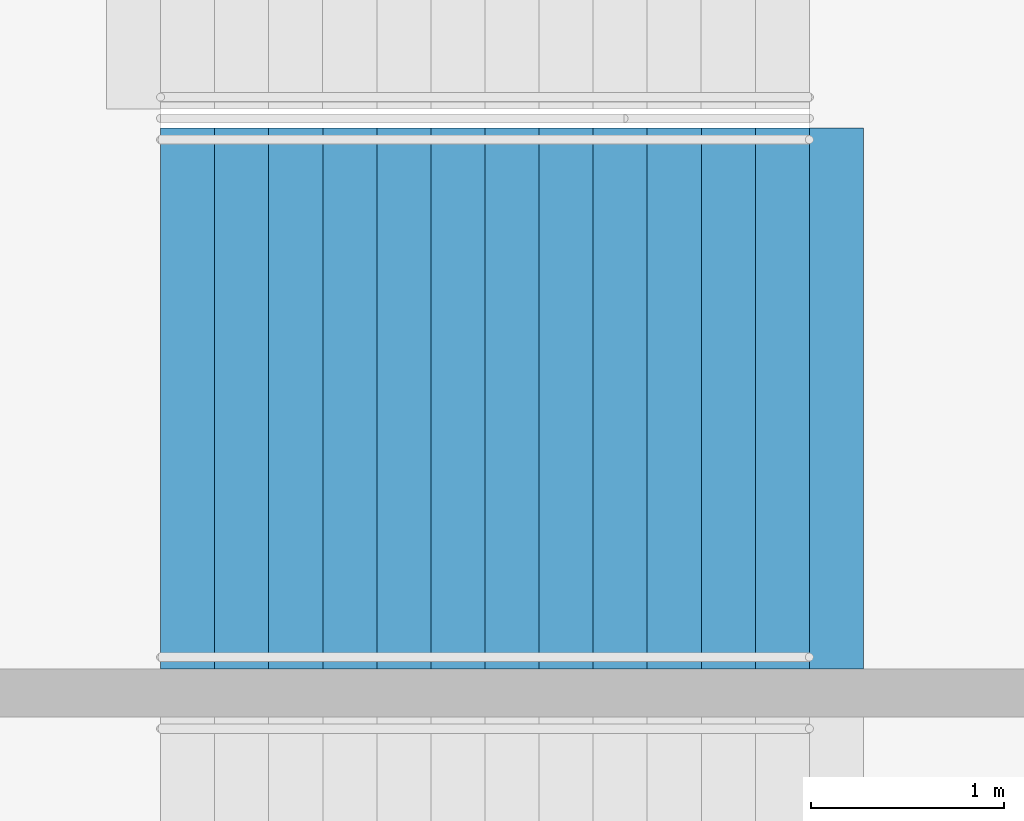
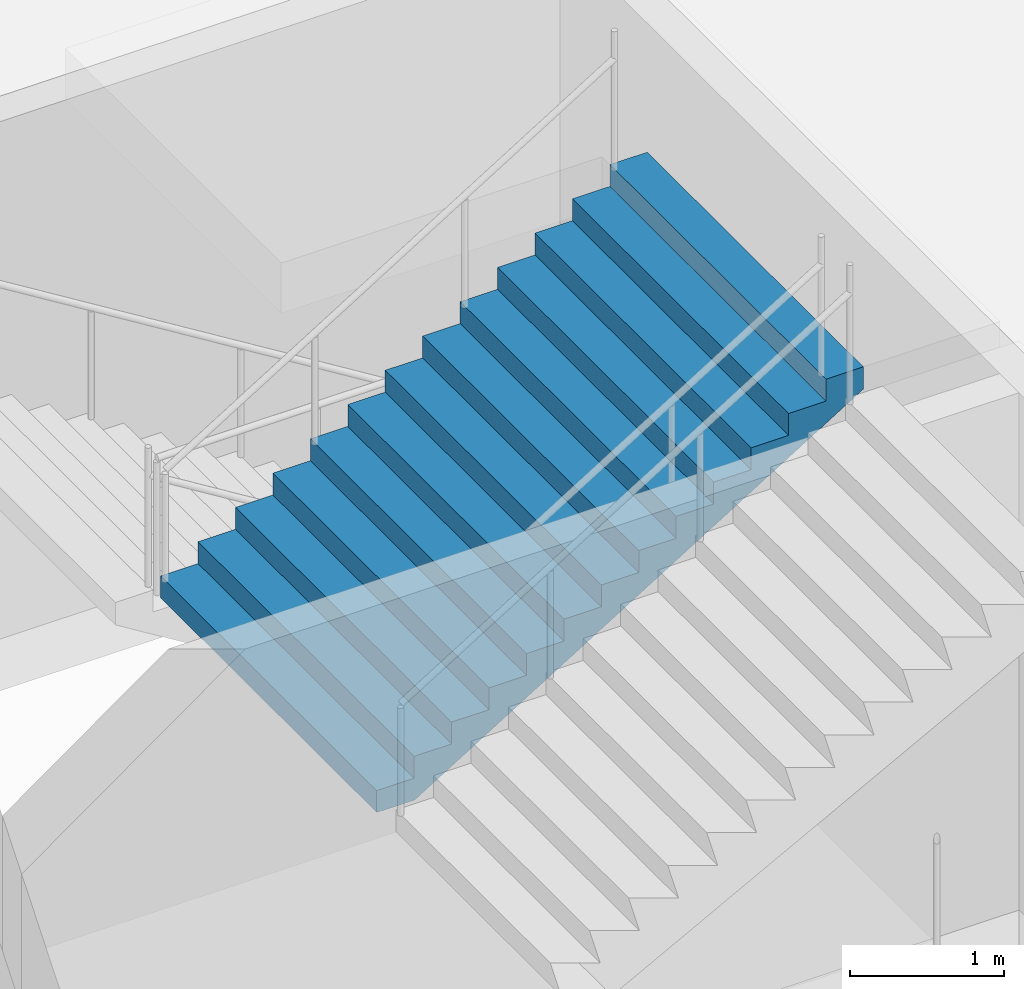
# One storey, part 167 of 249: 1 stair flight, 1 element without a shape of its own.
"""IFC4 building model written with IfcOpenShell, lengths in metres."""

from ifc_helpers import new_model, si_unit, direction, frame, origin, place, context, subcontext, project, spatial, faceted_brep, material, type_object, element, aggregate, save


model = new_model("IFC4")

# Units and contexts
model_context = context("Model", 3, precision=1e-05, world=origin(), true_north=direction((0.0, 1.0)))
body_context = subcontext(model_context, "Body", "Model", "MODEL_VIEW")
ifc_project = project(units=[si_unit("LENGTHUNIT", "METRE"), si_unit("AREAUNIT", "SQUARE_METRE"), si_unit("VOLUMEUNIT", "CUBIC_METRE"), si_unit("PLANEANGLEUNIT", "RADIAN"), si_unit("MASSUNIT", "GRAM", prefix="KILO")], contexts=[model_context])

# Site, building, storey
site_placement = place(None, origin())
site = spatial("IfcSite", under=ifc_project, at=site_placement, CompositionType="ELEMENT")
building_placement = place(site_placement, origin())
building = spatial("IfcBuilding", under=site, at=building_placement, Name="Ogive Plaza Stadium", CompositionType="ELEMENT")
storey_placement = place(building_placement, frame((0.0, 0.0, 13.5)))
storey = spatial("IfcBuildingStorey", under=building, at=storey_placement, Name="L03", CompositionType="ELEMENT", Elevation=13.5)

# Stair, stair flight
ifc_material_1 = material(Name="Concrete C40/50", Category="concrete")
stair_type = type_object("IfcStairType", Name="Exit stair", PredefinedType="STRAIGHT_RUN_STAIR", material=ifc_material_1)
stair_placement = place(storey_placement, origin())
stair = element("IfcStair", 1, at=stair_placement, inside=storey, type_object=stair_type, Name="Exit stair ST26A L03 to L04", PredefinedType="STRAIGHT_RUN_STAIR")
ifc_material_2 = material(Name="Concrete C40/50", Category="concrete")
stair_flight_type = type_object("IfcStairFlightType", Name="Exit stair flight", PredefinedType="STRAIGHT", material=ifc_material_2)
stair_flight_placement = place(storey_placement, frame((-79.7099609375, 24.02490234375, 2.25), z_axis=(0.0, 0.0, 1.0), x_axis=(1.0, 0.0, 0.0)))
stair_flight = element("IfcStairFlight", 2, at=stair_flight_placement, type_object=stair_flight_type, Name="ST26A flight 2", NumberOfRisers=13, NumberOfTreads=12, PredefinedType="STRAIGHT", RiserHeight=0.173076923, TreadLength=0.28, context=body_context, shape_type="Brep", body=[
    faceted_brep([(0.28515625, -1.39990234375, 0.0), (3.639892578125, -1.39990234375, 2.07373046875), (3.639892578125, -1.39990234375, 2.25), (3.360107421875, -1.39990234375, 2.25), (3.360107421875, -1.39990234375, 2.076904296875), (3.080078125, -1.39990234375, 2.076904296875), (3.080078125, -1.39990234375, 1.90380859375), (2.800048828125, -1.39990234375, 1.90380859375), (2.800048828125, -1.39990234375, 1.730712890625), (2.52001953125, -1.39990234375, 1.730712890625), (2.52001953125, -1.39990234375, 1.5576171875), (2.239990234375, -1.39990234375, 1.5576171875), (2.239990234375, -1.39990234375, 1.384521484375), (1.9599609375, -1.39990234375, 1.384521484375), (1.9599609375, -1.39990234375, 1.21142578125), (1.679931640625, -1.39990234375, 1.21142578125), (1.679931640625, -1.39990234375, 1.03857421875), (1.39990234375, -1.39990234375, 1.03857421875), (1.39990234375, -1.39990234375, 0.865478515625), (1.1201171875, -1.39990234375, 0.865478515625), (1.1201171875, -1.39990234375, 0.6923828125), (0.840087890625, -1.39990234375, 0.6923828125), (0.840087890625, -1.39990234375, 0.519287109375), (0.56005859375, -1.39990234375, 0.519287109375), (0.56005859375, -1.39990234375, 0.34619140625), (0.280029296875, -1.39990234375, 0.34619140625), (0.280029296875, -1.39990234375, 0.173095703125), (0.0, -1.39990234375, 0.173095703125), (0.0, -1.39990234375, 0.0), (0.0, 1.39990234375, 0.0), (0.0, 1.39990234375, 0.173095703125), (0.280029296875, 1.39990234375, 0.173095703125), (0.280029296875, 1.39990234375, 0.34619140625), (0.56005859375, 1.39990234375, 0.34619140625), (0.56005859375, 1.39990234375, 0.519287109375), (0.840087890625, 1.39990234375, 0.519287109375), (0.840087890625, 1.39990234375, 0.6923828125), (1.1201171875, 1.39990234375, 0.6923828125), (1.1201171875, 1.39990234375, 0.865478515625), (1.39990234375, 1.39990234375, 0.865478515625), (1.39990234375, 1.39990234375, 1.03857421875), (1.679931640625, 1.39990234375, 1.03857421875), (1.679931640625, 1.39990234375, 1.21142578125), (1.9599609375, 1.39990234375, 1.21142578125), (1.9599609375, 1.39990234375, 1.384521484375), (2.239990234375, 1.39990234375, 1.384521484375), (2.239990234375, 1.39990234375, 1.5576171875), (2.52001953125, 1.39990234375, 1.5576171875), (2.52001953125, 1.39990234375, 1.730712890625), (2.800048828125, 1.39990234375, 1.730712890625), (2.800048828125, 1.39990234375, 1.90380859375), (3.080078125, 1.39990234375, 1.90380859375), (3.080078125, 1.39990234375, 2.076904296875), (3.360107421875, 1.39990234375, 2.076904296875), (3.360107421875, 1.39990234375, 2.25), (3.639892578125, 1.39990234375, 2.25), (3.639892578125, 1.39990234375, 2.07373046875), (0.28515625, 1.39990234375, 0.0), (0.28515625, -1.0888671875, 0.0), (3.639892578125, -1.0888671875, 2.07373046875), (0.28515625, -0.77783203125, 0.0), (3.639892578125, -0.77783203125, 2.07373046875), (0.28515625, -0.466796875, 0.0), (3.639892578125, -0.466796875, 2.07373046875), (0.28515625, -0.155517578125, 0.0), (3.639892578125, -0.155517578125, 2.07373046875), (0.28515625, 0.155517578125, 0.0), (3.639892578125, 0.155517578125, 2.07373046875), (0.28515625, 0.466796875, 0.0), (3.639892578125, 0.466796875, 2.07373046875), (0.28515625, 0.77783203125, 0.0), (3.639892578125, 0.77783203125, 2.07373046875), (0.28515625, 1.0888671875, 0.0), (3.639892578125, 1.0888671875, 2.07373046875), (3.639892578125, -1.0888671875, 2.25), (3.639892578125, -0.77783203125, 2.25), (3.639892578125, -0.466796875, 2.25), (3.639892578125, -0.155517578125, 2.25), (3.639892578125, 0.155517578125, 2.25), (3.639892578125, 0.466796875, 2.25), (3.639892578125, 0.77783203125, 2.25), (3.639892578125, 1.0888671875, 2.25), (3.360107421875, -1.0888671875, 2.25), (3.360107421875, -0.77783203125, 2.25), (3.360107421875, -0.466796875, 2.25), (3.360107421875, -0.155517578125, 2.25), (3.360107421875, 0.155517578125, 2.25), (3.360107421875, 0.466796875, 2.25), (3.360107421875, 0.77783203125, 2.25), (3.360107421875, 1.0888671875, 2.25), (3.360107421875, -1.0888671875, 2.076904296875), (3.360107421875, -0.77783203125, 2.076904296875), (3.360107421875, -0.466796875, 2.076904296875), (3.360107421875, -0.155517578125, 2.076904296875), (3.360107421875, 0.155517578125, 2.076904296875), (3.360107421875, 0.466796875, 2.076904296875), (3.360107421875, 0.77783203125, 2.076904296875), (3.360107421875, 1.0888671875, 2.076904296875), (3.080078125, -1.0888671875, 2.076904296875), (3.080078125, -0.77783203125, 2.076904296875), (3.080078125, -0.466796875, 2.076904296875), (3.080078125, -0.155517578125, 2.076904296875), (3.080078125, 0.155517578125, 2.076904296875), (3.080078125, 0.466796875, 2.076904296875), (3.080078125, 0.77783203125, 2.076904296875), (3.080078125, 1.0888671875, 2.076904296875), (3.080078125, -1.0888671875, 1.90380859375), (3.080078125, -0.77783203125, 1.90380859375), (3.080078125, -0.466796875, 1.90380859375), (3.080078125, -0.155517578125, 1.90380859375), (3.080078125, 0.155517578125, 1.90380859375), (3.080078125, 0.466796875, 1.90380859375), (3.080078125, 0.77783203125, 1.90380859375), (3.080078125, 1.0888671875, 1.90380859375), (2.800048828125, -1.0888671875, 1.90380859375), (2.800048828125, -0.77783203125, 1.90380859375), (2.800048828125, -0.466796875, 1.90380859375), (2.800048828125, -0.155517578125, 1.90380859375), (2.800048828125, 0.155517578125, 1.90380859375), (2.800048828125, 0.466796875, 1.90380859375), (2.800048828125, 0.77783203125, 1.90380859375), (2.800048828125, 1.0888671875, 1.90380859375), (2.800048828125, -1.0888671875, 1.730712890625), (2.800048828125, -0.77783203125, 1.730712890625), (2.800048828125, -0.466796875, 1.730712890625), (2.800048828125, -0.155517578125, 1.730712890625), (2.800048828125, 0.155517578125, 1.730712890625), (2.800048828125, 0.466796875, 1.730712890625), (2.800048828125, 0.77783203125, 1.730712890625), (2.800048828125, 1.0888671875, 1.730712890625), (2.52001953125, -1.0888671875, 1.730712890625), (2.52001953125, -0.77783203125, 1.730712890625), (2.52001953125, -0.466796875, 1.730712890625), (2.52001953125, -0.155517578125, 1.730712890625), (2.52001953125, 0.155517578125, 1.730712890625), (2.52001953125, 0.466796875, 1.730712890625), (2.52001953125, 0.77783203125, 1.730712890625), (2.52001953125, 1.0888671875, 1.730712890625), (2.52001953125, -1.0888671875, 1.5576171875), (2.52001953125, -0.77783203125, 1.5576171875), (2.52001953125, -0.466796875, 1.5576171875), (2.52001953125, -0.155517578125, 1.5576171875), (2.52001953125, 0.155517578125, 1.5576171875), (2.52001953125, 0.466796875, 1.5576171875), (2.52001953125, 0.77783203125, 1.5576171875), (2.52001953125, 1.0888671875, 1.5576171875), (2.239990234375, -1.0888671875, 1.5576171875), (2.239990234375, -0.77783203125, 1.5576171875), (2.239990234375, -0.466796875, 1.5576171875), (2.239990234375, -0.155517578125, 1.5576171875), (2.239990234375, 0.155517578125, 1.5576171875), (2.239990234375, 0.466796875, 1.5576171875), (2.239990234375, 0.77783203125, 1.5576171875), (2.239990234375, 1.0888671875, 1.5576171875), (2.239990234375, -1.0888671875, 1.384521484375), (2.239990234375, -0.77783203125, 1.384521484375), (2.239990234375, -0.466796875, 1.384521484375), (2.239990234375, -0.155517578125, 1.384521484375), (2.239990234375, 0.155517578125, 1.384521484375), (2.239990234375, 0.466796875, 1.384521484375), (2.239990234375, 0.77783203125, 1.384521484375), (2.239990234375, 1.0888671875, 1.384521484375), (1.9599609375, -1.0888671875, 1.384521484375), (1.9599609375, -0.77783203125, 1.384521484375), (1.9599609375, -0.466796875, 1.384521484375), (1.9599609375, -0.155517578125, 1.384521484375), (1.9599609375, 0.155517578125, 1.384521484375), (1.9599609375, 0.466796875, 1.384521484375), (1.9599609375, 0.77783203125, 1.384521484375), (1.9599609375, 1.0888671875, 1.384521484375), (1.9599609375, -1.0888671875, 1.21142578125), (1.9599609375, -0.77783203125, 1.21142578125), (1.9599609375, -0.466796875, 1.21142578125), (1.9599609375, -0.155517578125, 1.21142578125), (1.9599609375, 0.155517578125, 1.21142578125), (1.9599609375, 0.466796875, 1.21142578125), (1.9599609375, 0.77783203125, 1.21142578125), (1.9599609375, 1.0888671875, 1.21142578125), (1.679931640625, -1.0888671875, 1.21142578125), (1.679931640625, -0.77783203125, 1.21142578125), (1.679931640625, -0.466796875, 1.21142578125), (1.679931640625, -0.155517578125, 1.21142578125), (1.679931640625, 0.155517578125, 1.21142578125), (1.679931640625, 0.466796875, 1.21142578125), (1.679931640625, 0.77783203125, 1.21142578125), (1.679931640625, 1.0888671875, 1.21142578125), (1.679931640625, -1.0888671875, 1.03857421875), (1.679931640625, -0.77783203125, 1.03857421875), (1.679931640625, -0.466796875, 1.03857421875), (1.679931640625, -0.155517578125, 1.03857421875), (1.679931640625, 0.155517578125, 1.03857421875), (1.679931640625, 0.466796875, 1.03857421875), (1.679931640625, 0.77783203125, 1.03857421875), (1.679931640625, 1.0888671875, 1.03857421875), (1.39990234375, -1.0888671875, 1.03857421875), (1.39990234375, -0.77783203125, 1.03857421875), (1.39990234375, -0.466796875, 1.03857421875), (1.39990234375, -0.155517578125, 1.03857421875), (1.39990234375, 0.155517578125, 1.03857421875), (1.39990234375, 0.466796875, 1.03857421875), (1.39990234375, 0.77783203125, 1.03857421875), (1.39990234375, 1.0888671875, 1.03857421875), (1.39990234375, -1.0888671875, 0.865478515625), (1.39990234375, -0.77783203125, 0.865478515625), (1.39990234375, -0.466796875, 0.865478515625), (1.39990234375, -0.155517578125, 0.865478515625), (1.39990234375, 0.155517578125, 0.865478515625), (1.39990234375, 0.466796875, 0.865478515625), (1.39990234375, 0.77783203125, 0.865478515625), (1.39990234375, 1.0888671875, 0.865478515625), (1.1201171875, -1.0888671875, 0.865478515625), (1.1201171875, -0.77783203125, 0.865478515625), (1.1201171875, -0.466796875, 0.865478515625), (1.1201171875, -0.155517578125, 0.865478515625), (1.1201171875, 0.155517578125, 0.865478515625), (1.1201171875, 0.466796875, 0.865478515625), (1.1201171875, 0.77783203125, 0.865478515625), (1.1201171875, 1.0888671875, 0.865478515625), (1.1201171875, -1.0888671875, 0.6923828125), (1.1201171875, -0.77783203125, 0.6923828125), (1.1201171875, -0.466796875, 0.6923828125), (1.1201171875, -0.155517578125, 0.6923828125), (1.1201171875, 0.155517578125, 0.6923828125), (1.1201171875, 0.466796875, 0.6923828125), (1.1201171875, 0.77783203125, 0.6923828125), (1.1201171875, 1.0888671875, 0.6923828125), (0.840087890625, -1.0888671875, 0.6923828125), (0.840087890625, -0.77783203125, 0.6923828125), (0.840087890625, -0.466796875, 0.6923828125), (0.840087890625, -0.155517578125, 0.6923828125), (0.840087890625, 0.155517578125, 0.6923828125), (0.840087890625, 0.466796875, 0.6923828125), (0.840087890625, 0.77783203125, 0.6923828125), (0.840087890625, 1.0888671875, 0.6923828125), (0.840087890625, -1.0888671875, 0.519287109375), (0.840087890625, -0.77783203125, 0.519287109375), (0.840087890625, -0.466796875, 0.519287109375), (0.840087890625, -0.155517578125, 0.519287109375), (0.840087890625, 0.155517578125, 0.519287109375), (0.840087890625, 0.466796875, 0.519287109375), (0.840087890625, 0.77783203125, 0.519287109375), (0.840087890625, 1.0888671875, 0.519287109375), (0.56005859375, -1.0888671875, 0.519287109375), (0.56005859375, -0.77783203125, 0.519287109375), (0.56005859375, -0.466796875, 0.519287109375), (0.56005859375, -0.155517578125, 0.519287109375), (0.56005859375, 0.155517578125, 0.519287109375), (0.56005859375, 0.466796875, 0.519287109375), (0.56005859375, 0.77783203125, 0.519287109375), (0.56005859375, 1.0888671875, 0.519287109375), (0.56005859375, -1.0888671875, 0.34619140625), (0.56005859375, -0.77783203125, 0.34619140625), (0.56005859375, -0.466796875, 0.34619140625), (0.56005859375, -0.155517578125, 0.34619140625), (0.56005859375, 0.155517578125, 0.34619140625), (0.56005859375, 0.466796875, 0.34619140625), (0.56005859375, 0.77783203125, 0.34619140625), (0.56005859375, 1.0888671875, 0.34619140625), (0.280029296875, -1.0888671875, 0.34619140625), (0.280029296875, -0.77783203125, 0.34619140625), (0.280029296875, -0.466796875, 0.34619140625), (0.280029296875, -0.155517578125, 0.34619140625), (0.280029296875, 0.155517578125, 0.34619140625), (0.280029296875, 0.466796875, 0.34619140625), (0.280029296875, 0.77783203125, 0.34619140625), (0.280029296875, 1.0888671875, 0.34619140625), (0.280029296875, -1.0888671875, 0.173095703125), (0.280029296875, -0.77783203125, 0.173095703125), (0.280029296875, -0.466796875, 0.173095703125), (0.280029296875, -0.155517578125, 0.173095703125), (0.280029296875, 0.155517578125, 0.173095703125), (0.280029296875, 0.466796875, 0.173095703125), (0.280029296875, 0.77783203125, 0.173095703125), (0.280029296875, 1.0888671875, 0.173095703125), (0.0, -1.0888671875, 0.173095703125), (0.0, -0.77783203125, 0.173095703125), (0.0, -0.466796875, 0.173095703125), (0.0, -0.155517578125, 0.173095703125), (0.0, 0.155517578125, 0.173095703125), (0.0, 0.466796875, 0.173095703125), (0.0, 0.77783203125, 0.173095703125), (0.0, 1.0888671875, 0.173095703125), (0.0, -1.0888671875, 0.0), (0.0, -0.77783203125, 0.0), (0.0, -0.466796875, 0.0), (0.0, -0.155517578125, 0.0), (0.0, 0.155517578125, 0.0), (0.0, 0.466796875, 0.0), (0.0, 0.77783203125, 0.0), (0.0, 1.0888671875, 0.0)], [[[0, 1, 2, 3, 4, 5, 6, 7, 8, 9, 10, 11, 12, 13, 14, 15, 16, 17, 18, 19, 20, 21, 22, 23, 24, 25, 26, 27, 28]], [[29, 30, 31, 32, 33, 34, 35, 36, 37, 38, 39, 40, 41, 42, 43, 44, 45, 46, 47, 48, 49, 50, 51, 52, 53, 54, 55, 56, 57]], [[0, 58, 59, 1]], [[58, 60, 61, 59]], [[60, 62, 63, 61]], [[62, 64, 65, 63]], [[64, 66, 67, 65]], [[66, 68, 69, 67]], [[68, 70, 71, 69]], [[70, 72, 73, 71]], [[72, 57, 56, 73]], [[1, 59, 74, 2]], [[59, 61, 75, 74]], [[61, 63, 76, 75]], [[63, 65, 77, 76]], [[65, 67, 78, 77]], [[67, 69, 79, 78]], [[69, 71, 80, 79]], [[71, 73, 81, 80]], [[73, 56, 55, 81]], [[2, 74, 82, 3]], [[74, 75, 83, 82]], [[75, 76, 84, 83]], [[76, 77, 85, 84]], [[77, 78, 86, 85]], [[78, 79, 87, 86]], [[79, 80, 88, 87]], [[80, 81, 89, 88]], [[81, 55, 54, 89]], [[3, 82, 90, 4]], [[82, 83, 91, 90]], [[83, 84, 92, 91]], [[84, 85, 93, 92]], [[85, 86, 94, 93]], [[86, 87, 95, 94]], [[87, 88, 96, 95]], [[88, 89, 97, 96]], [[89, 54, 53, 97]], [[4, 90, 98, 5]], [[90, 91, 99, 98]], [[91, 92, 100, 99]], [[92, 93, 101, 100]], [[93, 94, 102, 101]], [[94, 95, 103, 102]], [[95, 96, 104, 103]], [[96, 97, 105, 104]], [[97, 53, 52, 105]], [[5, 98, 106, 6]], [[98, 99, 107, 106]], [[99, 100, 108, 107]], [[100, 101, 109, 108]], [[101, 102, 110, 109]], [[102, 103, 111, 110]], [[103, 104, 112, 111]], [[104, 105, 113, 112]], [[105, 52, 51, 113]], [[6, 106, 114, 7]], [[106, 107, 115, 114]], [[107, 108, 116, 115]], [[108, 109, 117, 116]], [[109, 110, 118, 117]], [[110, 111, 119, 118]], [[111, 112, 120, 119]], [[112, 113, 121, 120]], [[113, 51, 50, 121]], [[7, 114, 122, 8]], [[114, 115, 123, 122]], [[115, 116, 124, 123]], [[116, 117, 125, 124]], [[117, 118, 126, 125]], [[118, 119, 127, 126]], [[119, 120, 128, 127]], [[120, 121, 129, 128]], [[121, 50, 49, 129]], [[8, 122, 130, 9]], [[122, 123, 131, 130]], [[123, 124, 132, 131]], [[124, 125, 133, 132]], [[125, 126, 134, 133]], [[126, 127, 135, 134]], [[127, 128, 136, 135]], [[128, 129, 137, 136]], [[129, 49, 48, 137]], [[9, 130, 138, 10]], [[130, 131, 139, 138]], [[131, 132, 140, 139]], [[132, 133, 141, 140]], [[133, 134, 142, 141]], [[134, 135, 143, 142]], [[135, 136, 144, 143]], [[136, 137, 145, 144]], [[137, 48, 47, 145]], [[10, 138, 146, 11]], [[138, 139, 147, 146]], [[139, 140, 148, 147]], [[140, 141, 149, 148]], [[141, 142, 150, 149]], [[142, 143, 151, 150]], [[143, 144, 152, 151]], [[144, 145, 153, 152]], [[145, 47, 46, 153]], [[11, 146, 154, 12]], [[146, 147, 155, 154]], [[147, 148, 156, 155]], [[148, 149, 157, 156]], [[149, 150, 158, 157]], [[150, 151, 159, 158]], [[151, 152, 160, 159]], [[152, 153, 161, 160]], [[153, 46, 45, 161]], [[12, 154, 162, 13]], [[154, 155, 163, 162]], [[155, 156, 164, 163]], [[156, 157, 165, 164]], [[157, 158, 166, 165]], [[158, 159, 167, 166]], [[159, 160, 168, 167]], [[160, 161, 169, 168]], [[161, 45, 44, 169]], [[13, 162, 170, 14]], [[162, 163, 171, 170]], [[163, 164, 172, 171]], [[164, 165, 173, 172]], [[165, 166, 174, 173]], [[166, 167, 175, 174]], [[167, 168, 176, 175]], [[168, 169, 177, 176]], [[169, 44, 43, 177]], [[14, 170, 178, 15]], [[170, 171, 179, 178]], [[171, 172, 180, 179]], [[172, 173, 181, 180]], [[173, 174, 182, 181]], [[174, 175, 183, 182]], [[175, 176, 184, 183]], [[176, 177, 185, 184]], [[177, 43, 42, 185]], [[15, 178, 186, 16]], [[178, 179, 187, 186]], [[179, 180, 188, 187]], [[180, 181, 189, 188]], [[181, 182, 190, 189]], [[182, 183, 191, 190]], [[183, 184, 192, 191]], [[184, 185, 193, 192]], [[185, 42, 41, 193]], [[16, 186, 194, 17]], [[186, 187, 195, 194]], [[187, 188, 196, 195]], [[188, 189, 197, 196]], [[189, 190, 198, 197]], [[190, 191, 199, 198]], [[191, 192, 200, 199]], [[192, 193, 201, 200]], [[193, 41, 40, 201]], [[17, 194, 202, 18]], [[194, 195, 203, 202]], [[195, 196, 204, 203]], [[196, 197, 205, 204]], [[197, 198, 206, 205]], [[198, 199, 207, 206]], [[199, 200, 208, 207]], [[200, 201, 209, 208]], [[201, 40, 39, 209]], [[18, 202, 210, 19]], [[202, 203, 211, 210]], [[203, 204, 212, 211]], [[204, 205, 213, 212]], [[205, 206, 214, 213]], [[206, 207, 215, 214]], [[207, 208, 216, 215]], [[208, 209, 217, 216]], [[209, 39, 38, 217]], [[19, 210, 218, 20]], [[210, 211, 219, 218]], [[211, 212, 220, 219]], [[212, 213, 221, 220]], [[213, 214, 222, 221]], [[214, 215, 223, 222]], [[215, 216, 224, 223]], [[216, 217, 225, 224]], [[217, 38, 37, 225]], [[20, 218, 226, 21]], [[218, 219, 227, 226]], [[219, 220, 228, 227]], [[220, 221, 229, 228]], [[221, 222, 230, 229]], [[222, 223, 231, 230]], [[223, 224, 232, 231]], [[224, 225, 233, 232]], [[225, 37, 36, 233]], [[21, 226, 234, 22]], [[226, 227, 235, 234]], [[227, 228, 236, 235]], [[228, 229, 237, 236]], [[229, 230, 238, 237]], [[230, 231, 239, 238]], [[231, 232, 240, 239]], [[232, 233, 241, 240]], [[233, 36, 35, 241]], [[22, 234, 242, 23]], [[234, 235, 243, 242]], [[235, 236, 244, 243]], [[236, 237, 245, 244]], [[237, 238, 246, 245]], [[238, 239, 247, 246]], [[239, 240, 248, 247]], [[240, 241, 249, 248]], [[241, 35, 34, 249]], [[23, 242, 250, 24]], [[242, 243, 251, 250]], [[243, 244, 252, 251]], [[244, 245, 253, 252]], [[245, 246, 254, 253]], [[246, 247, 255, 254]], [[247, 248, 256, 255]], [[248, 249, 257, 256]], [[249, 34, 33, 257]], [[24, 250, 258, 25]], [[250, 251, 259, 258]], [[251, 252, 260, 259]], [[252, 253, 261, 260]], [[253, 254, 262, 261]], [[254, 255, 263, 262]], [[255, 256, 264, 263]], [[256, 257, 265, 264]], [[257, 33, 32, 265]], [[25, 258, 266, 26]], [[258, 259, 267, 266]], [[259, 260, 268, 267]], [[260, 261, 269, 268]], [[261, 262, 270, 269]], [[262, 263, 271, 270]], [[263, 264, 272, 271]], [[264, 265, 273, 272]], [[265, 32, 31, 273]], [[26, 266, 274, 27]], [[266, 267, 275, 274]], [[267, 268, 276, 275]], [[268, 269, 277, 276]], [[269, 270, 278, 277]], [[270, 271, 279, 278]], [[271, 272, 280, 279]], [[272, 273, 281, 280]], [[273, 31, 30, 281]], [[27, 274, 282, 28]], [[274, 275, 283, 282]], [[275, 276, 284, 283]], [[276, 277, 285, 284]], [[277, 278, 286, 285]], [[278, 279, 287, 286]], [[279, 280, 288, 287]], [[280, 281, 289, 288]], [[281, 30, 29, 289]], [[28, 282, 58, 0]], [[282, 283, 60, 58]], [[283, 284, 62, 60]], [[284, 285, 64, 62]], [[285, 286, 66, 64]], [[286, 287, 68, 66]], [[287, 288, 70, 68]], [[288, 289, 72, 70]], [[289, 29, 57, 72]]]),
])
aggregate(stair, [stair_flight])

save(model, "model.ifc")
